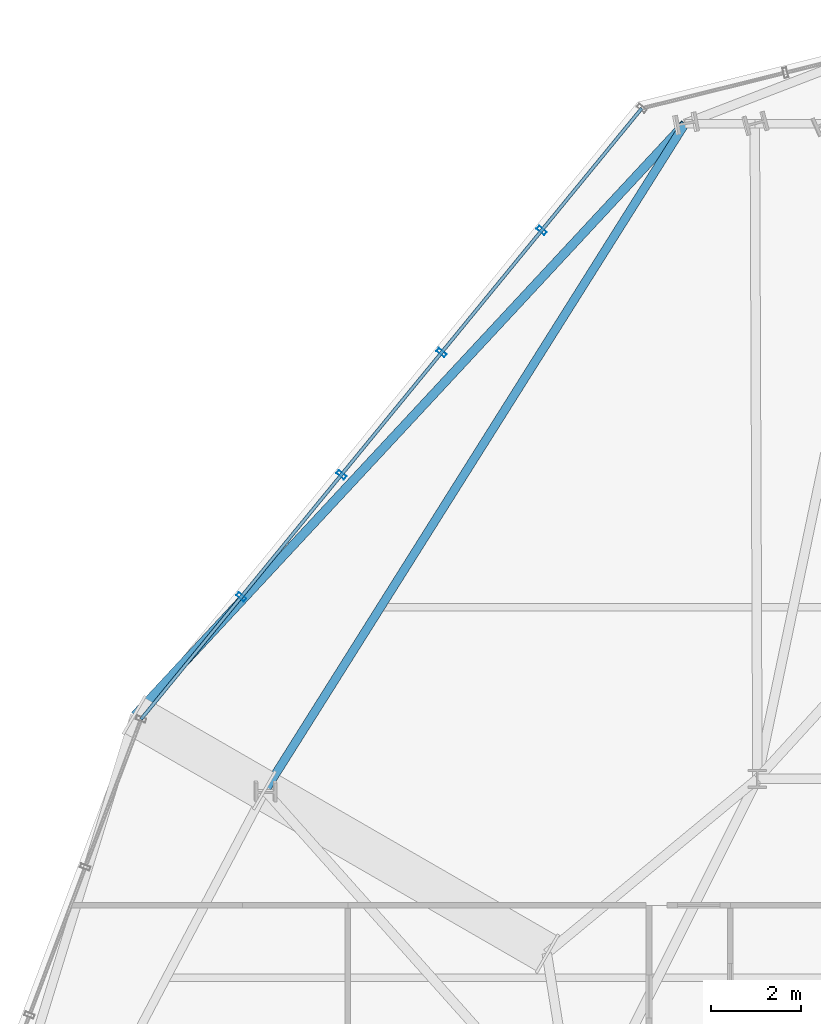
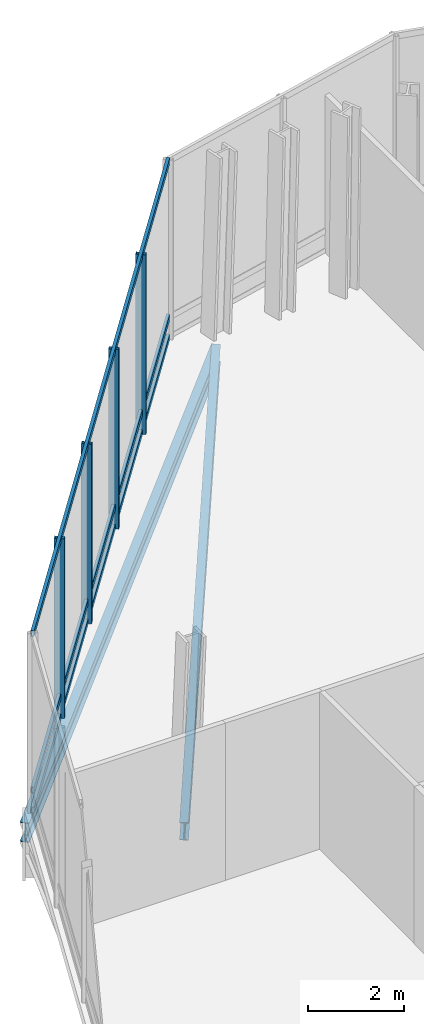
# One storey, part 15 of 26: 7 members, 2 beams, 1 element without a shape of its own.
"""IFC4 building model written with IfcOpenShell, lengths in metres."""

from ifc_helpers import new_model, si_unit, direction, frame, origin, origin_2d, place, context, subcontext, project, spatial, hollow_rectangle, i_section, extrude, material, layer, layer_set, material_profile, profile_set, type_object, element, aggregate, save


model = new_model("IFC4")

# Units and contexts
model_context = context("Model", 3, precision=1e-05, world=origin(), true_north=direction((0.0, 1.0)))
body_context = subcontext(model_context, "Body", "Model", "MODEL_VIEW")
ifc_project = project(units=[si_unit("LENGTHUNIT", "METRE"), si_unit("AREAUNIT", "SQUARE_METRE"), si_unit("VOLUMEUNIT", "CUBIC_METRE"), si_unit("PLANEANGLEUNIT", "RADIAN"), si_unit("MASSUNIT", "GRAM", prefix="KILO")], contexts=[model_context])

# Site, building, storey
site_placement = place(None, origin())
site = spatial("IfcSite", under=ifc_project, at=site_placement, CompositionType="ELEMENT")
building_placement = place(site_placement, origin())
building = spatial("IfcBuilding", under=site, at=building_placement, Name="Ndaravel Arena Tower", CompositionType="ELEMENT")
storey_placement = place(building_placement, frame((0.0, 0.0, 122.199951171875)))
storey = spatial("IfcBuildingStorey", under=building, at=storey_placement, Name="L28", CompositionType="ELEMENT", Elevation=122.199951171875)

# Beams
ifc_material_1 = material(Name="Steel S355", Category="steel")
ifc_material_profile_1 = material_profile(ifc_material_1, i_section(OverallWidth=0.18994140625, OverallDepth=0.449951171875, WebThickness=0.009521484375, FlangeThickness=0.0146484375, FilletRadius=0.02099609375, at=origin_2d()), Name="IPE 450")
ifc_profile_set_1 = profile_set([ifc_material_profile_1], Name="Steel S355")
beam_type_1 = type_object("IfcBeamType", Name="BM-SPAN-IPE450", PredefinedType="SPANDREL", material=ifc_profile_set_1)
beam_1_placement = place(storey_placement, frame((36.598388671875, 45.7041015625, -0.5048828125), z_axis=(-0.532796941141, -0.846243120806, 0.0), x_axis=(0.846243120806, -0.532796941141, 0.0)))
element("IfcBeam", 1, at=beam_1_placement, inside=storey, type_object=beam_type_1, Name="L28 Perimeter Spandrel Beam SP-18", PredefinedType="SPANDREL", context=body_context, shape_type="SweptSolid", body=[
    extrude(i_section(OverallWidth=0.18994140625, OverallDepth=0.449951171875, WebThickness=0.009521484375, FlangeThickness=0.0146484375, FilletRadius=0.02099609375, at=origin_2d()), origin(), (0.0, 0.0, 1.0), 17.44873046875),
])
ifc_material_2 = material(Name="Steel S355", Category="steel")
ifc_material_profile_2 = material_profile(ifc_material_2, i_section(OverallWidth=0.199951171875, OverallDepth=0.5, WebThickness=0.01025390625, FlangeThickness=0.01611328125, FilletRadius=0.02099609375, at=origin_2d()), Name="IPE 500")
ifc_profile_set_2 = profile_set([ifc_material_profile_2], Name="Steel S355")
beam_type_2 = type_object("IfcBeamType", Name="BM-SPAN-IPE500", PredefinedType="SPANDREL", material=ifc_profile_set_2)
beam_2_placement = place(storey_placement, frame((36.598388671875, 45.7041015625, -0.530029296875), z_axis=(-0.680919474805, -0.732358292662, 0.0), x_axis=(0.732358292662, -0.680919474805, 0.0)))
element("IfcBeam", 2, at=beam_2_placement, inside=storey, type_object=beam_type_2, Name="L28 Star Facet Edge Beam SEA-6", PredefinedType="SPANDREL", context=body_context, shape_type="SweptSolid", body=[
    extrude(i_section(OverallWidth=0.199951171875, OverallDepth=0.5, WebThickness=0.01025390625, FlangeThickness=0.01611328125, FilletRadius=0.02099609375, at=origin_2d()), origin(), (0.0, 0.0, 1.0), 17.888671875),
])

# Curtain wall, members
ifc_material_3 = material(Name="Aluminium", Category="aluminium")
ifc_layer = layer(ifc_material_3, 0.179931640625)
ifc_layer_set = layer_set([ifc_layer], Name="Aluminium")
curtain_wall_type = type_object("IfcCurtainWallType", Name="CW-SYS-04", PredefinedType="NOTDEFINED", material=ifc_layer_set)
curtain_wall_placement = place(storey_placement, origin())
curtain_wall = element("IfcCurtainWall", 3, at=curtain_wall_placement, inside=storey, type_object=curtain_wall_type, Name="L28 Faceted Crystal Curtain Wall CW-L28-E10", PredefinedType="NOTDEFINED")
ifc_material_4 = material(Name="Aluminium", Category="aluminium")
ifc_material_profile_3 = material_profile(ifc_material_4, hollow_rectangle(XDim=0.090087890625, YDim=0.219970703125, WallThickness=0.0048828125, at=origin_2d()), Name="CW MULLION 90x220x5")
ifc_profile_set_3 = profile_set([ifc_material_profile_3], Name="Aluminium")
member_type_1 = type_object("IfcMemberType", Name="MEM-CW-MUL220", PredefinedType="MULLION", material=ifc_profile_set_3)
member_1_placement = place(storey_placement, frame((33.42333984375, 43.337646484375, 0.0), z_axis=(0.0, 0.0, 1.0), x_axis=(-0.633934458857, -0.773386773791, 0.0)))
member_1 = element("IfcMember", 4, at=member_1_placement, type_object=member_type_1, Name="CW-L28-E10 Mullion 01", PredefinedType="MULLION", context=body_context, shape_type="SweptSolid", body=[
    extrude(hollow_rectangle(XDim=0.090087890625, YDim=0.219970703125, WallThickness=0.0048828125, at=origin_2d()), origin(), (0.0, 0.0, 1.0), 4.580078125),
])
member_2_placement = place(storey_placement, frame((31.20703125, 40.6337890625, 0.0), z_axis=(0.0, 0.0, 1.0), x_axis=(-0.633934458857, -0.773386773791, 0.0)))
member_2 = element("IfcMember", 5, at=member_2_placement, type_object=member_type_1, Name="CW-L28-E10 Mullion 02", PredefinedType="MULLION", context=body_context, shape_type="SweptSolid", body=[
    extrude(hollow_rectangle(XDim=0.090087890625, YDim=0.219970703125, WallThickness=0.0048828125, at=origin_2d()), origin(), (0.0, 0.0, 1.0), 4.580078125),
])
member_3_placement = place(storey_placement, frame((28.99072265625, 37.929931640625, 0.0), z_axis=(0.0, 0.0, 1.0), x_axis=(-0.633934458857, -0.773386773791, 0.0)))
member_3 = element("IfcMember", 6, at=member_3_placement, type_object=member_type_1, Name="CW-L28-E10 Mullion 03", PredefinedType="MULLION", context=body_context, shape_type="SweptSolid", body=[
    extrude(hollow_rectangle(XDim=0.090087890625, YDim=0.219970703125, WallThickness=0.0048828125, at=origin_2d()), origin(), (0.0, 0.0, 1.0), 4.580078125),
])
member_4_placement = place(storey_placement, frame((26.7744140625, 35.22607421875, 0.0), z_axis=(0.0, 0.0, 1.0), x_axis=(-0.633934458857, -0.773386773791, 0.0)))
member_4 = element("IfcMember", 7, at=member_4_placement, type_object=member_type_1, Name="CW-L28-E10 Mullion 04", PredefinedType="MULLION", context=body_context, shape_type="SweptSolid", body=[
    extrude(hollow_rectangle(XDim=0.090087890625, YDim=0.219970703125, WallThickness=0.0048828125, at=origin_2d()), origin(), (0.0, 0.0, 1.0), 4.580078125),
])
ifc_material_5 = material(Name="Aluminium", Category="aluminium")
ifc_material_profile_4 = material_profile(ifc_material_5, hollow_rectangle(XDim=0.074951171875, YDim=0.14990234375, WallThickness=0.00390625, at=origin_2d()), Name="CW TRANSOM 75x150x4")
ifc_profile_set_4 = profile_set([ifc_material_profile_4], Name="Aluminium")
member_type_2 = type_object("IfcMemberType", Name="MEM-CW-TRN150", PredefinedType="USERDEFINED", material=ifc_profile_set_4)
member_5_placement = place(storey_placement, frame((35.6396484375, 46.04150390625, 0.0400390625), z_axis=(-0.633933432757, -0.773387614869, 0.0), x_axis=(0.773387614869, -0.633933432757, 0.0)))
member_5 = element("IfcMember", 8, at=member_5_placement, type_object=member_type_2, Name="CW-L28-E10 Transom 01", ObjectType="TRANSOM", PredefinedType="USERDEFINED", context=body_context, shape_type="SweptSolid", body=[
    extrude(hollow_rectangle(XDim=0.074951171875, YDim=0.14990234375, WallThickness=0.00390625, at=origin_2d()), origin(), (0.0, 0.0, 1.0), 17.480712890625),
])
member_6_placement = place(storey_placement, frame((35.6396484375, 46.04150390625, 0.550048828125), z_axis=(-0.633933432757, -0.773387614869, 0.0), x_axis=(0.773387614869, -0.633933432757, 0.0)))
member_6 = element("IfcMember", 9, at=member_6_placement, type_object=member_type_2, Name="CW-L28-E10 Transom 02", ObjectType="TRANSOM", PredefinedType="USERDEFINED", context=body_context, shape_type="SweptSolid", body=[
    extrude(hollow_rectangle(XDim=0.074951171875, YDim=0.14990234375, WallThickness=0.00390625, at=origin_2d()), origin(), (0.0, 0.0, 1.0), 17.480712890625),
])
member_7_placement = place(storey_placement, frame((35.6396484375, 46.04150390625, 4.5400390625), z_axis=(-0.633933432757, -0.773387614869, 0.0), x_axis=(0.773387614869, -0.633933432757, 0.0)))
member_7 = element("IfcMember", 10, at=member_7_placement, type_object=member_type_2, Name="CW-L28-E10 Transom 03", ObjectType="TRANSOM", PredefinedType="USERDEFINED", context=body_context, shape_type="SweptSolid", body=[
    extrude(hollow_rectangle(XDim=0.074951171875, YDim=0.14990234375, WallThickness=0.00390625, at=origin_2d()), origin(), (0.0, 0.0, 1.0), 17.480712890625),
])
aggregate(curtain_wall, [member_1, member_2, member_3, member_4, member_5, member_6, member_7])

save(model, "model.ifc")
